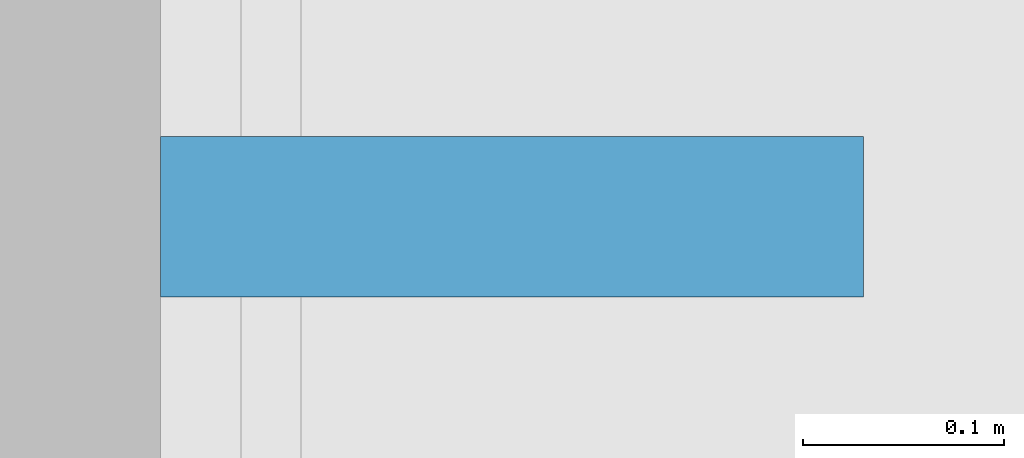
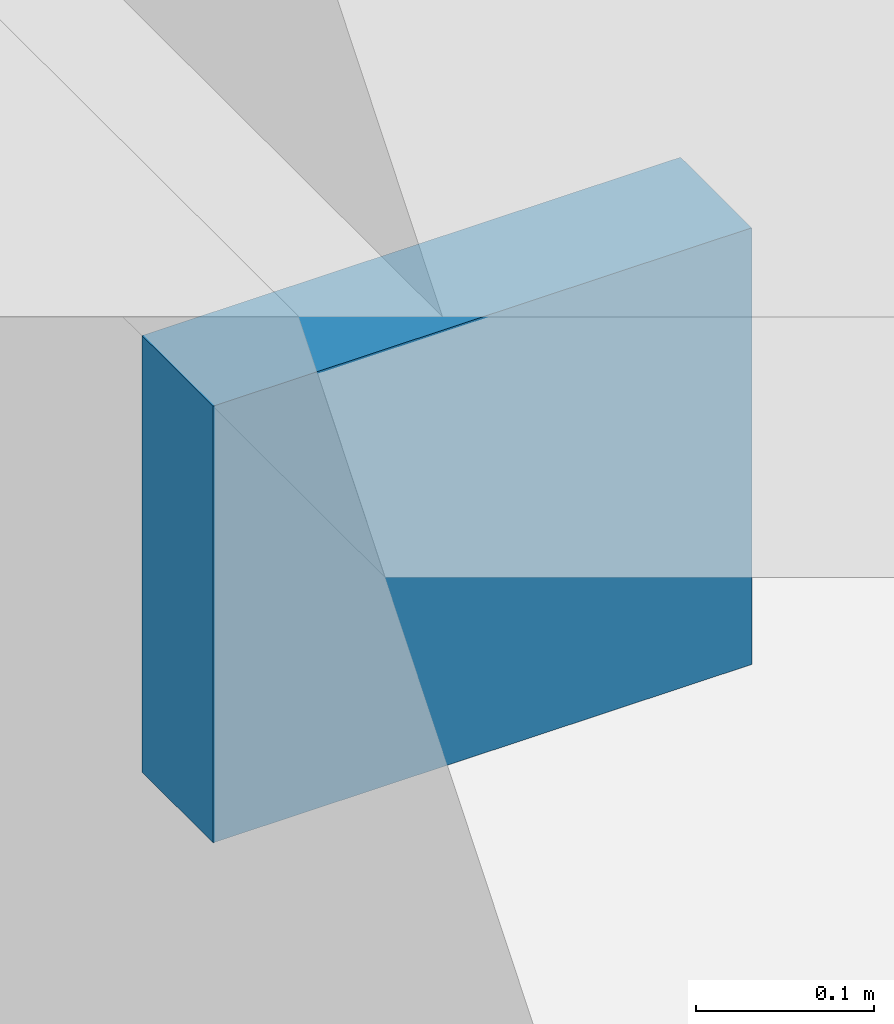
# One storey, part 82 of 161: 1 discrete accessory.
"""IFC4 building model written with IfcOpenShell, lengths in metres."""

import ifcopenshell
import ifcopenshell.guid

model = None  # the IFC model being written
_history = None  # IfcOwnerHistory: only IFC2X3 demands one
_inside = {}  # id of a spatial element -> (the spatial element, [elements in it])
_under = {}  # id of a project, library or spatial element -> (it, [spatial elements below it])
_declared = {}  # id of a project -> (the project, [libraries it declares])
_typed = {}  # id of a type object -> (the type object, [elements of that type])
_made_of = {}  # id of a material, layer set ... -> (it, [elements and type objects made of it])


def new_model(schema):
    """Start an empty IFC model of exactly this schema.

    Asked for "IFC4X3", IfcOpenShell would pick the latest addendum, in which some entities
    have other attributes; the version numbers below select the first issue.
    IFC2X3 requires an IfcOwnerHistory on every rooted entity: one is made here for all.
    """
    global model, _history
    if schema == "IFC4X3":
        model = ifcopenshell.file(schema_version=(4, 3, 0, 0))
    else:
        model = ifcopenshell.file(schema=schema)
    _inside.clear()
    _under.clear()
    _declared.clear()
    _typed.clear()
    _made_of.clear()
    _history = None
    if model.schema == "IFC2X3":
        org = make("IfcOrganization", Name="unknown")
        user = make(
            "IfcPersonAndOrganization",
            ThePerson=make("IfcPerson", FamilyName="unknown"),
            TheOrganization=org,
        )
        app = make(
            "IfcApplication",
            ApplicationDeveloper=org,
            Version="unknown",
            ApplicationFullName="unknown",
            ApplicationIdentifier="unknown",
        )
        _history = make(
            "IfcOwnerHistory",
            OwningUser=user,
            OwningApplication=app,
            ChangeAction="ADDED",
            CreationDate=0,
        )
    return model


def make(cls, **values):
    """One entity of the class cls with the attributes given. An attribute that is None is left unset."""
    return model.create_entity(
        cls, **{name: value for name, value in values.items() if value is not None}
    )


def rooted(cls, **values):
    """An entity with a GlobalId (a new one), such as an element, a storey or a relation."""
    return make(cls, GlobalId=ifcopenshell.guid.new(), OwnerHistory=_history, **values)


def si_unit(unit_type, name, prefix=None):
    """IfcSIUnit, for example si_unit("LENGTHUNIT", "METRE", prefix="MILLI")."""
    return make("IfcSIUnit", UnitType=unit_type, Prefix=prefix, Name=name)


def assignment(units):
    """IfcUnitAssignment: the units of a project."""
    return None if units is None else make("IfcUnitAssignment", Units=units)


def point(xyz):
    """IfcCartesianPoint."""
    return None if xyz is None else make("IfcCartesianPoint", Coordinates=xyz)


def direction(xyz):
    """IfcDirection."""
    return None if xyz is None else make("IfcDirection", DirectionRatios=xyz)


def frame(location, z_axis=None, x_axis=None):
    """IfcAxis2Placement3D, a coordinate frame: its origin and axes. An axis left out is left unset."""
    return make(
        "IfcAxis2Placement3D",
        Location=point(location),
        Axis=direction(z_axis),
        RefDirection=direction(x_axis),
    )


def frame_2d(location, x_axis=None):
    """IfcAxis2Placement2D, a coordinate frame in the plane: its origin and x axis."""
    return make(
        "IfcAxis2Placement2D", Location=point(location), RefDirection=direction(x_axis)
    )


def origin():
    """The frame at (0, 0, 0) with its axes left unset."""
    return frame((0.0, 0.0, 0.0))


def origin_2d():
    """The frame at (0, 0) in the plane with its x axis left unset."""
    return frame_2d((0.0, 0.0))


def place(relative_to, where):
    """IfcLocalPlacement: puts the frame where relative to a parent placement (None: the world)."""
    return make(
        "IfcLocalPlacement", PlacementRelTo=relative_to, RelativePlacement=where
    )


def context(
    kind, dimensions, precision=None, world=None, true_north=None, identifier=None
):
    """IfcGeometricRepresentationContext, for example the 3D "Model" context."""
    return make(
        "IfcGeometricRepresentationContext",
        ContextIdentifier=identifier,
        ContextType=kind,
        CoordinateSpaceDimension=dimensions,
        Precision=precision,
        WorldCoordinateSystem=world,
        TrueNorth=true_north,
    )


def subcontext(parent, identifier, kind, view, scale=None):
    """IfcGeometricRepresentationSubContext, for example "Body" below "Model"."""
    return make(
        "IfcGeometricRepresentationSubContext",
        ContextIdentifier=identifier,
        ContextType=kind,
        ParentContext=parent,
        TargetScale=scale,
        TargetView=view,
    )


def project(units=None, contexts=None):
    """IfcProject with its units and contexts."""
    return rooted(
        "IfcProject",
        Name="project",
        RepresentationContexts=contexts,
        UnitsInContext=assignment(units),
    )


def spatial(cls, under=None, at=None, **own):
    """A site, building, storey or space (cls), placed at a placement, below another one or the project."""
    s = rooted(cls, ObjectPlacement=at, **own)
    if under is not None:
        _under.setdefault(under.id(), (under, []))[1].append(s)
    return s


def profile(cls, at=None, kind="AREA", **sizes):
    """A parametric profile (cls). Its sizes go by their IFC names, for example OverallWidth=200.0."""
    return make(cls, ProfileType=kind, Position=at, **sizes)


def rectangle(**sizes):
    """IfcRectangleProfileDef."""
    return profile("IfcRectangleProfileDef", **sizes)


def extrude(swept, where, along, depth):
    """IfcExtrudedAreaSolid: the profile swept, set in the frame where, extruded along a direction by depth."""
    return make(
        "IfcExtrudedAreaSolid",
        SweptArea=swept,
        Position=where,
        ExtrudedDirection=direction(along),
        Depth=depth,
    )


def shape(context_of_items, identifier, shape_type, items):
    """IfcShapeRepresentation: the items that make up one representation, for example the "Body"."""
    return make(
        "IfcShapeRepresentation",
        ContextOfItems=context_of_items,
        RepresentationIdentifier=identifier,
        RepresentationType=shape_type,
        Items=items,
    )


def material(Name=None, Category=None):
    """IfcMaterial."""
    return make("IfcMaterial", Name=Name, Category=Category)


def made_of(thing, what):
    """Note that an element or type object is made of a material, layer set ...; save() writes the relation."""
    if what is not None:
        _made_of.setdefault(what.id(), (what, []))[1].append(thing)
    return thing


def type_object(cls, material=None, **own):
    """A type object (cls), such as IfcWallType, which elements share."""
    return made_of(rooted(cls, **own), material)


def element(
    cls,
    number,
    at=None,
    inside=None,
    cuts=None,
    type_object=None,
    material=None,
    context=None,
    identifier="Body",
    shape_type=None,
    held_by="IfcProductDefinitionShape",
    body=None,
    shapes=None,
    **own,
):
    """One element of the class cls, such as IfcWall. Its Tag is "e" and its number.

    at: its placement. inside: the storey or other place that contains it. cuts: it is an
    opening in that element (IfcRelVoidsElement). A single representation is given by context,
    identifier, shape_type and body (its items); several are given by shapes. held_by: the class
    of the entity that holds the representations. save() writes the other relations.
    """
    e = rooted(cls, Tag="e%d" % number, ObjectPlacement=at, **own)
    if body is not None:
        shapes = [shape(context, identifier, shape_type, body)]
    if shapes is not None:
        e.Representation = make(held_by, Representations=shapes)
    if inside is not None:
        _inside.setdefault(inside.id(), (inside, []))[1].append(e)
    if cuts is not None:
        rooted(
            "IfcRelVoidsElement", RelatingBuildingElement=cuts, RelatedOpeningElement=e
        )
    if type_object is not None:
        _typed.setdefault(type_object.id(), (type_object, []))[1].append(e)
    return made_of(e, material)


def aggregate(whole, parts):
    """IfcRelAggregates: a whole, such as a stair, and the parts it consists of."""
    return rooted("IfcRelAggregates", RelatingObject=whole, RelatedObjects=parts)


def save(model, path):
    """Write the relations noted so far, then the file.

    IfcRelAggregates (storeys below a building ...), IfcRelContainedInSpatialStructure (elements
    in a storey), IfcRelDefinesByType, IfcRelAssociatesMaterial and IfcRelDeclares: one each for
    every whole, place, type object, material and project.
    """
    for whole, parts in _under.values():
        aggregate(whole, parts)
    for where, things in _inside.values():
        rooted(
            "IfcRelContainedInSpatialStructure",
            RelatedElements=things,
            RelatingStructure=where,
        )
    for kind, things in _typed.values():
        rooted("IfcRelDefinesByType", RelatedObjects=things, RelatingType=kind)
    for what, things in _made_of.values():
        rooted("IfcRelAssociatesMaterial", RelatedObjects=things, RelatingMaterial=what)
    for by, libraries in _declared.values():
        rooted("IfcRelDeclares", RelatingContext=by, RelatedDefinitions=libraries)
    model.write(path)


model = new_model("IFC4")

# Units and contexts
model_context = context("Model", 3, precision=1e-05, world=origin(), true_north=direction((0.0, 1.0)))
body_context = subcontext(model_context, "Body", "Model", "MODEL_VIEW")
ifc_project = project(units=[si_unit("LENGTHUNIT", "METRE"), si_unit("AREAUNIT", "SQUARE_METRE"), si_unit("VOLUMEUNIT", "CUBIC_METRE"), si_unit("PLANEANGLEUNIT", "RADIAN"), si_unit("MASSUNIT", "GRAM", prefix="KILO")], contexts=[model_context])

# Site, building, storey
site_placement = place(None, origin())
site = spatial("IfcSite", under=ifc_project, at=site_placement, CompositionType="ELEMENT")
building_placement = place(site_placement, origin())
building = spatial("IfcBuilding", under=site, at=building_placement, Name="Elbe Cascade School", CompositionType="ELEMENT")
storey_placement = place(building_placement, origin())
storey = spatial("IfcBuildingStorey", under=building, at=storey_placement, Name="L00", CompositionType="ELEMENT", Elevation=0.0)

# Discrete accessory
ifc_material = material(Name="Steel S355J2, hot-dip galvanised", Category="steel")
discrete_accessory_type = type_object("IfcDiscreteAccessoryType", Name="Bars envelope Bracket, galvanised steel", PredefinedType="BRACKET", material=ifc_material)
discrete_accessory_placement = place(storey_placement, frame((86.455078125, 57.47998046875, 3.330078125), z_axis=(0.0, 0.0, 1.0), x_axis=(0.0, 1.0, 0.0)))
element("IfcDiscreteAccessory", 1, at=discrete_accessory_placement, inside=storey, type_object=discrete_accessory_type, Name="Bracket AC7 eave.e.6.br2", PredefinedType="BRACKET", context=body_context, shape_type="SweptSolid", body=[
    extrude(rectangle(XDim=0.080078125, YDim=0.35009765625, at=origin_2d()), origin(), (0.0, 0.0, 1.0), 0.300048828125),
])

save(model, "model.ifc")
